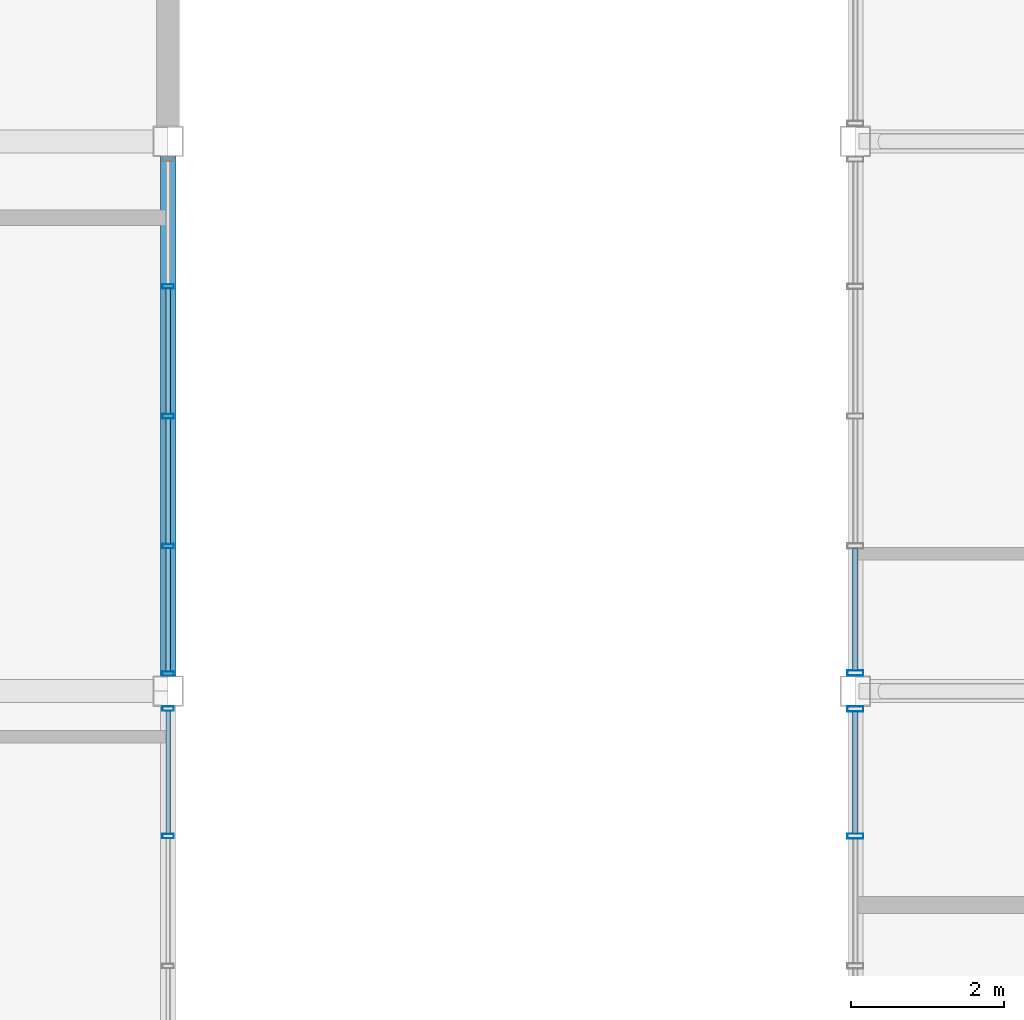
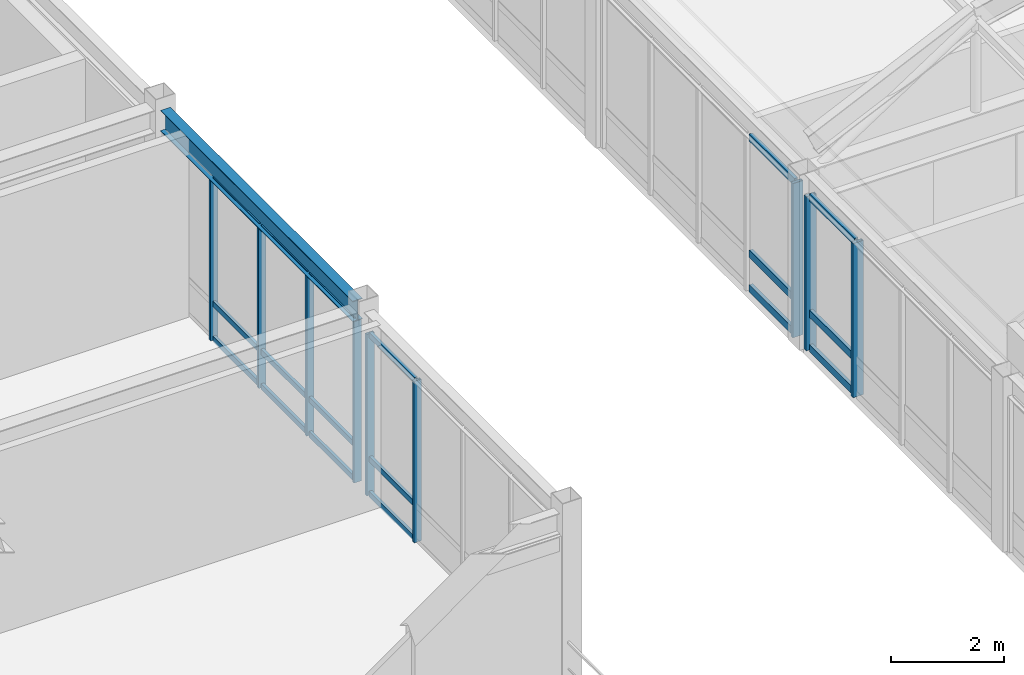
# One storey, part 23 of 106: 27 members, 1 beam, 4 elements without a shape of their own.
"""IFC4 building model written with IfcOpenShell, lengths in metres."""

from ifc_helpers import new_model, si_unit, direction, frame, origin, origin_2d, place, context, subcontext, project, spatial, hollow_rectangle, i_section, extrude, material, material_profile, profile_set, type_object, element, aggregate, save


model = new_model("IFC4")

# Units and contexts
model_context = context("Model", 3, precision=1e-05, world=origin(), true_north=direction((0.0, 1.0)))
body_context = subcontext(model_context, "Body", "Model", "MODEL_VIEW")
ifc_project = project(units=[si_unit("LENGTHUNIT", "METRE"), si_unit("AREAUNIT", "SQUARE_METRE"), si_unit("VOLUMEUNIT", "CUBIC_METRE"), si_unit("PLANEANGLEUNIT", "RADIAN"), si_unit("MASSUNIT", "GRAM", prefix="KILO")], contexts=[model_context])

# Site, building, storey
site_placement = place(None, origin())
site = spatial("IfcSite", under=ifc_project, at=site_placement, CompositionType="ELEMENT")
building_placement = place(site_placement, origin())
building = spatial("IfcBuilding", under=site, at=building_placement, Name="Kazanami Central Library", CompositionType="ELEMENT")
storey_placement = place(building_placement, frame((0.0, 0.0, 12.800048828125)))
storey = spatial("IfcBuildingStorey", under=building, at=storey_placement, Name="L04", CompositionType="ELEMENT", Elevation=12.800048828125)

# Beam
ifc_material_1 = material(Name="Steel SN490B (325 MPa)", Category="steel")
ifc_material_profile_1 = material_profile(ifc_material_1, i_section(OverallWidth=0.199951171875, OverallDepth=0.449951171875, WebThickness=0.009033203125, FlangeThickness=0.013916015625, at=origin_2d()), Name="H-450x200x9x14")
ifc_profile_set_1 = profile_set([ifc_material_profile_1], Name="Steel SN490B (325 MPa)")
beam_type = type_object("IfcBeamType", Name="BM-SP-2", PredefinedType="SPANDREL", material=ifc_profile_set_1)
beam_placement = place(storey_placement, frame((36.0, 72.197998046875, 3.71484375), z_axis=(0.0, 1.0, 0.0), x_axis=(-1.0, 0.0, 0.0)))
element("IfcBeam", 1, at=beam_placement, inside=storey, type_object=beam_type, Name="Girder SP-2 L04 5/L-M", PredefinedType="SPANDREL", context=body_context, shape_type="SweptSolid", body=[
    extrude(i_section(OverallWidth=0.199951171875, OverallDepth=0.449951171875, WebThickness=0.009033203125, FlangeThickness=0.013916015625, at=origin_2d()), origin(), (0.0, 0.0, 1.0), 6.803955078125),
])

# Curtain wall, members
ifc_material_2 = material(Name="Acid-Etched Low-E Laminated Glass", Category="glass")
curtain_wall_type_1 = type_object("IfcCurtainWallType", Name="CW-6800x3330-M180", PredefinedType="USERDEFINED", material=ifc_material_2)
curtain_wall_1_placement = place(storey_placement, origin())
curtain_wall_1 = element("IfcCurtainWall", 2, at=curtain_wall_1_placement, inside=storey, type_object=curtain_wall_type_1, Name="Covered Link Bridge Curtain Wall CW-44 L04 W-6-09", ObjectType="UNITISED CURTAIN WALL", PredefinedType="USERDEFINED")
ifc_material_3 = material(Name="Anodised Aluminium A6063-T5", Category="aluminium")
ifc_material_profile_2 = material_profile(ifc_material_3, hollow_rectangle(XDim=0.070068359375, YDim=0.2099609375, WallThickness=0.0048828125, at=origin_2d()), Name="ALU-MULL-70x210x5")
ifc_profile_set_2 = profile_set([ifc_material_profile_2], Name="Anodised Aluminium A6063-T5")
member_type_1 = type_object("IfcMemberType", Name="MEM-CW-M1", PredefinedType="MULLION", material=ifc_profile_set_2)
member_1_placement = place(storey_placement, frame((45.0, 70.10009765625, 0.0), z_axis=(0.0, 0.0, 1.0), x_axis=(0.0, 1.0, 0.0)))
member_1 = element("IfcMember", 3, at=member_1_placement, type_object=member_type_1, Name="CW-44 mullion 4", PredefinedType="MULLION", context=body_context, shape_type="SweptSolid", body=[
    extrude(hollow_rectangle(XDim=0.070068359375, YDim=0.2099609375, WallThickness=0.0048828125, at=origin_2d()), origin(), (0.0, 0.0, 1.0), 3.329833984375),
])
member_2_placement = place(storey_placement, frame((45.0, 71.764892578125, 0.0), z_axis=(0.0, 0.0, 1.0), x_axis=(0.0, 1.0, 0.0)))
member_2 = element("IfcMember", 4, at=member_2_placement, type_object=member_type_1, Name="CW-44 mullion 5", PredefinedType="MULLION", context=body_context, shape_type="SweptSolid", body=[
    extrude(hollow_rectangle(XDim=0.070068359375, YDim=0.2099609375, WallThickness=0.0048828125, at=origin_2d()), origin(), (0.0, 0.0, 1.0), 3.329833984375),
])

# Curtain wall, member
curtain_wall_2_placement = place(storey_placement, origin())
curtain_wall_2 = element("IfcCurtainWall", 5, at=curtain_wall_2_placement, inside=storey, type_object=curtain_wall_type_1, Name="Covered Link Bridge Curtain Wall CW-44 L04 W-6-10", ObjectType="UNITISED CURTAIN WALL", PredefinedType="USERDEFINED")
member_3_placement = place(storey_placement, frame((45.0, 72.235107421875, 0.0), z_axis=(0.0, 0.0, 1.0), x_axis=(0.0, 1.0, 0.0)))
member_3 = element("IfcMember", 6, at=member_3_placement, type_object=member_type_1, Name="CW-44 mullion 1", PredefinedType="MULLION", context=body_context, shape_type="SweptSolid", body=[
    extrude(hollow_rectangle(XDim=0.070068359375, YDim=0.2099609375, WallThickness=0.0048828125, at=origin_2d()), origin(), (0.0, 0.0, 1.0), 3.329833984375),
])

# Curtain wall, members
curtain_wall_type_2 = type_object("IfcCurtainWallType", Name="CW-6800x3490-M180", PredefinedType="USERDEFINED", material=ifc_material_2)
curtain_wall_3_placement = place(storey_placement, origin())
curtain_wall_3 = element("IfcCurtainWall", 7, at=curtain_wall_3_placement, inside=storey, type_object=curtain_wall_type_2, Name="Covered Link Bridge Curtain Wall CW-43 L04 E-5-09", ObjectType="UNITISED CURTAIN WALL", PredefinedType="USERDEFINED")
ifc_material_profile_3 = material_profile(ifc_material_3, hollow_rectangle(XDim=0.06005859375, YDim=0.14990234375, WallThickness=0.00390625, at=origin_2d()), Name="ALU-MULL-60x150x4")
ifc_profile_set_3 = profile_set([ifc_material_profile_3], Name="Anodised Aluminium A6063-T5")
member_type_2 = type_object("IfcMemberType", Name="MEM-CW-M3", PredefinedType="MULLION", material=ifc_profile_set_3)
member_4_placement = place(storey_placement, frame((36.0, 71.77001953125, 0.0), z_axis=(0.0, 0.0, 1.0), x_axis=(0.0, -1.0, 0.0)))
member_4 = element("IfcMember", 8, at=member_4_placement, type_object=member_type_2, Name="CW-43 mullion 1", PredefinedType="MULLION", context=body_context, shape_type="SweptSolid", body=[
    extrude(hollow_rectangle(XDim=0.06005859375, YDim=0.14990234375, WallThickness=0.00390625, at=origin_2d()), origin(), (0.0, 0.0, 1.0), 3.489990234375),
])
member_5_placement = place(storey_placement, frame((36.0, 70.10009765625, 0.0), z_axis=(0.0, 0.0, 1.0), x_axis=(0.0, -1.0, 0.0)))
member_5 = element("IfcMember", 9, at=member_5_placement, type_object=member_type_2, Name="CW-43 mullion 2", PredefinedType="MULLION", context=body_context, shape_type="SweptSolid", body=[
    extrude(hollow_rectangle(XDim=0.06005859375, YDim=0.14990234375, WallThickness=0.00390625, at=origin_2d()), origin(), (0.0, 0.0, 1.0), 3.489990234375),
])

curtain_wall_4_placement = place(storey_placement, origin())
curtain_wall_4 = element("IfcCurtainWall", 10, at=curtain_wall_4_placement, inside=storey, type_object=curtain_wall_type_2, Name="Covered Link Bridge Curtain Wall CW-43 L04 E-5-10", ObjectType="UNITISED CURTAIN WALL", PredefinedType="USERDEFINED")
member_6_placement = place(storey_placement, frame((36.0, 77.300048828125, 0.0), z_axis=(0.0, 0.0, 1.0), x_axis=(0.0, -1.0, 0.0)))
member_6 = element("IfcMember", 11, at=member_6_placement, type_object=member_type_2, Name="CW-43 mullion 2", PredefinedType="MULLION", context=body_context, shape_type="SweptSolid", body=[
    extrude(hollow_rectangle(XDim=0.06005859375, YDim=0.14990234375, WallThickness=0.00390625, at=origin_2d()), origin(), (0.0, 0.0, 1.0), 3.489990234375),
])
member_7_placement = place(storey_placement, frame((36.0, 75.60009765625, 0.0), z_axis=(0.0, 0.0, 1.0), x_axis=(0.0, -1.0, 0.0)))
member_7 = element("IfcMember", 12, at=member_7_placement, type_object=member_type_2, Name="CW-43 mullion 3", PredefinedType="MULLION", context=body_context, shape_type="SweptSolid", body=[
    extrude(hollow_rectangle(XDim=0.06005859375, YDim=0.14990234375, WallThickness=0.00390625, at=origin_2d()), origin(), (0.0, 0.0, 1.0), 3.489990234375),
])
member_8_placement = place(storey_placement, frame((36.0, 73.89990234375, 0.0), z_axis=(0.0, 0.0, 1.0), x_axis=(0.0, -1.0, 0.0)))
member_8 = element("IfcMember", 13, at=member_8_placement, type_object=member_type_2, Name="CW-43 mullion 4", PredefinedType="MULLION", context=body_context, shape_type="SweptSolid", body=[
    extrude(hollow_rectangle(XDim=0.06005859375, YDim=0.14990234375, WallThickness=0.00390625, at=origin_2d()), origin(), (0.0, 0.0, 1.0), 3.489990234375),
])
member_9_placement = place(storey_placement, frame((36.0, 72.22998046875, 0.0), z_axis=(0.0, 0.0, 1.0), x_axis=(0.0, -1.0, 0.0)))
member_9 = element("IfcMember", 14, at=member_9_placement, type_object=member_type_2, Name="CW-43 mullion 5", PredefinedType="MULLION", context=body_context, shape_type="SweptSolid", body=[
    extrude(hollow_rectangle(XDim=0.06005859375, YDim=0.14990234375, WallThickness=0.00390625, at=origin_2d()), origin(), (0.0, 0.0, 1.0), 3.489990234375),
])

# Member
ifc_material_profile_4 = material_profile(ifc_material_3, hollow_rectangle(XDim=0.070068359375, YDim=0.159912109375, WallThickness=0.00390625, at=origin_2d()), Name="ALU-TRAN-70x160x4")
ifc_profile_set_4 = profile_set([ifc_material_profile_4], Name="Anodised Aluminium A6063-T5")
member_type_3 = type_object("IfcMemberType", Name="MEM-CW-T1", PredefinedType="USERDEFINED", material=ifc_profile_set_4)
member_10_placement = place(storey_placement, frame((45.0, 70.135009765625, 0.034912109375), z_axis=(0.0, 1.0, 0.0), x_axis=(-1.0, 0.0, 0.0)))
member_10 = element("IfcMember", 15, at=member_10_placement, type_object=member_type_3, Name="CW-44 transom 4.1", ObjectType="TRANSOM", PredefinedType="USERDEFINED", context=body_context, shape_type="SweptSolid", body=[
    extrude(hollow_rectangle(XDim=0.070068359375, YDim=0.159912109375, WallThickness=0.00390625, at=origin_2d()), origin(), (0.0, 0.0, 1.0), 1.594970703125),
])

member_11_placement = place(storey_placement, frame((45.0, 70.135009765625, 0.780029296875), z_axis=(0.0, 1.0, 0.0), x_axis=(-1.0, 0.0, 0.0)))
member_11 = element("IfcMember", 16, at=member_11_placement, type_object=member_type_3, Name="CW-44 transom 4.2", ObjectType="TRANSOM", PredefinedType="USERDEFINED", context=body_context, shape_type="SweptSolid", body=[
    extrude(hollow_rectangle(XDim=0.070068359375, YDim=0.159912109375, WallThickness=0.00390625, at=origin_2d()), origin(), (0.0, 0.0, 1.0), 1.594970703125),
])

member_12_placement = place(storey_placement, frame((45.0, 70.135009765625, 3.294921875), z_axis=(0.0, 1.0, 0.0), x_axis=(-1.0, 0.0, 0.0)))
member_12 = element("IfcMember", 17, at=member_12_placement, type_object=member_type_3, Name="CW-44 transom 4.3", ObjectType="TRANSOM", PredefinedType="USERDEFINED", context=body_context, shape_type="SweptSolid", body=[
    extrude(hollow_rectangle(XDim=0.070068359375, YDim=0.159912109375, WallThickness=0.00390625, at=origin_2d()), origin(), (0.0, 0.0, 1.0), 1.594970703125),
])

aggregate(curtain_wall_1, [member_1, member_2, member_10, member_11, member_12])

member_13_placement = place(storey_placement, frame((45.0, 72.27001953125, 0.034912109375), z_axis=(0.0, 1.0, 0.0), x_axis=(-1.0, 0.0, 0.0)))
member_13 = element("IfcMember", 18, at=member_13_placement, type_object=member_type_3, Name="CW-44 transom 1.1", ObjectType="TRANSOM", PredefinedType="USERDEFINED", context=body_context, shape_type="SweptSolid", body=[
    extrude(hollow_rectangle(XDim=0.070068359375, YDim=0.159912109375, WallThickness=0.00390625, at=origin_2d()), origin(), (0.0, 0.0, 1.0), 1.594970703125),
])

member_14_placement = place(storey_placement, frame((45.0, 72.27001953125, 0.780029296875), z_axis=(0.0, 1.0, 0.0), x_axis=(-1.0, 0.0, 0.0)))
member_14 = element("IfcMember", 19, at=member_14_placement, type_object=member_type_3, Name="CW-44 transom 1.2", ObjectType="TRANSOM", PredefinedType="USERDEFINED", context=body_context, shape_type="SweptSolid", body=[
    extrude(hollow_rectangle(XDim=0.070068359375, YDim=0.159912109375, WallThickness=0.00390625, at=origin_2d()), origin(), (0.0, 0.0, 1.0), 1.594970703125),
])

member_15_placement = place(storey_placement, frame((45.0, 72.27001953125, 3.294921875), z_axis=(0.0, 1.0, 0.0), x_axis=(-1.0, 0.0, 0.0)))
member_15 = element("IfcMember", 20, at=member_15_placement, type_object=member_type_3, Name="CW-44 transom 1.3", ObjectType="TRANSOM", PredefinedType="USERDEFINED", context=body_context, shape_type="SweptSolid", body=[
    extrude(hollow_rectangle(XDim=0.070068359375, YDim=0.159912109375, WallThickness=0.00390625, at=origin_2d()), origin(), (0.0, 0.0, 1.0), 1.594970703125),
])

aggregate(curtain_wall_2, [member_3, member_13, member_14, member_15])

ifc_material_profile_5 = material_profile(ifc_material_3, hollow_rectangle(XDim=0.06005859375, YDim=0.1201171875, WallThickness=0.00341796875, at=origin_2d()), Name="ALU-TRAN-60x120x3.5")
ifc_profile_set_5 = profile_set([ifc_material_profile_5], Name="Anodised Aluminium A6063-T5")
member_type_4 = type_object("IfcMemberType", Name="MEM-CW-T3", PredefinedType="USERDEFINED", material=ifc_profile_set_5)
member_16_placement = place(storey_placement, frame((36.0, 71.739990234375, 0.030029296875), z_axis=(0.0, -1.0, 0.0), x_axis=(1.0, 0.0, 0.0)))
member_16 = element("IfcMember", 21, at=member_16_placement, type_object=member_type_4, Name="CW-43 transom 1.1", ObjectType="TRANSOM", PredefinedType="USERDEFINED", context=body_context, shape_type="SweptSolid", body=[
    extrude(hollow_rectangle(XDim=0.06005859375, YDim=0.1201171875, WallThickness=0.00341796875, at=origin_2d()), origin(), (0.0, 0.0, 1.0), 1.610107421875),
])

member_17_placement = place(storey_placement, frame((36.0, 71.739990234375, 0.780029296875), z_axis=(0.0, -1.0, 0.0), x_axis=(1.0, 0.0, 0.0)))
member_17 = element("IfcMember", 22, at=member_17_placement, type_object=member_type_4, Name="CW-43 transom 1.2", ObjectType="TRANSOM", PredefinedType="USERDEFINED", context=body_context, shape_type="SweptSolid", body=[
    extrude(hollow_rectangle(XDim=0.06005859375, YDim=0.1201171875, WallThickness=0.00341796875, at=origin_2d()), origin(), (0.0, 0.0, 1.0), 1.610107421875),
])

member_18_placement = place(storey_placement, frame((36.0, 71.739990234375, 3.4599609375), z_axis=(0.0, -1.0, 0.0), x_axis=(1.0, 0.0, 0.0)))
member_18 = element("IfcMember", 23, at=member_18_placement, type_object=member_type_4, Name="CW-43 transom 1.3", ObjectType="TRANSOM", PredefinedType="USERDEFINED", context=body_context, shape_type="SweptSolid", body=[
    extrude(hollow_rectangle(XDim=0.06005859375, YDim=0.1201171875, WallThickness=0.00341796875, at=origin_2d()), origin(), (0.0, 0.0, 1.0), 1.610107421875),
])

aggregate(curtain_wall_3, [member_4, member_5, member_16, member_17, member_18])

member_19_placement = place(storey_placement, frame((36.0, 77.27001953125, 0.030029296875), z_axis=(0.0, -1.0, 0.0), x_axis=(1.0, 0.0, 0.0)))
member_19 = element("IfcMember", 24, at=member_19_placement, type_object=member_type_4, Name="CW-43 transom 2.1", ObjectType="TRANSOM", PredefinedType="USERDEFINED", context=body_context, shape_type="SweptSolid", body=[
    extrude(hollow_rectangle(XDim=0.06005859375, YDim=0.1201171875, WallThickness=0.00341796875, at=origin_2d()), origin(), (0.0, 0.0, 1.0), 1.64013671875),
])

member_20_placement = place(storey_placement, frame((36.0, 77.27001953125, 0.780029296875), z_axis=(0.0, -1.0, 0.0), x_axis=(1.0, 0.0, 0.0)))
member_20 = element("IfcMember", 25, at=member_20_placement, type_object=member_type_4, Name="CW-43 transom 2.2", ObjectType="TRANSOM", PredefinedType="USERDEFINED", context=body_context, shape_type="SweptSolid", body=[
    extrude(hollow_rectangle(XDim=0.06005859375, YDim=0.1201171875, WallThickness=0.00341796875, at=origin_2d()), origin(), (0.0, 0.0, 1.0), 1.64013671875),
])

member_21_placement = place(storey_placement, frame((36.0, 77.27001953125, 3.4599609375), z_axis=(0.0, -1.0, 0.0), x_axis=(1.0, 0.0, 0.0)))
member_21 = element("IfcMember", 26, at=member_21_placement, type_object=member_type_4, Name="CW-43 transom 2.3", ObjectType="TRANSOM", PredefinedType="USERDEFINED", context=body_context, shape_type="SweptSolid", body=[
    extrude(hollow_rectangle(XDim=0.06005859375, YDim=0.1201171875, WallThickness=0.00341796875, at=origin_2d()), origin(), (0.0, 0.0, 1.0), 1.64013671875),
])

member_22_placement = place(storey_placement, frame((36.0, 75.570068359375, 0.030029296875), z_axis=(0.0, -1.0, 0.0), x_axis=(1.0, 0.0, 0.0)))
member_22 = element("IfcMember", 27, at=member_22_placement, type_object=member_type_4, Name="CW-43 transom 3.1", ObjectType="TRANSOM", PredefinedType="USERDEFINED", context=body_context, shape_type="SweptSolid", body=[
    extrude(hollow_rectangle(XDim=0.06005859375, YDim=0.1201171875, WallThickness=0.00341796875, at=origin_2d()), origin(), (0.0, 0.0, 1.0), 1.64013671875),
])

member_23_placement = place(storey_placement, frame((36.0, 75.570068359375, 0.780029296875), z_axis=(0.0, -1.0, 0.0), x_axis=(1.0, 0.0, 0.0)))
member_23 = element("IfcMember", 28, at=member_23_placement, type_object=member_type_4, Name="CW-43 transom 3.2", ObjectType="TRANSOM", PredefinedType="USERDEFINED", context=body_context, shape_type="SweptSolid", body=[
    extrude(hollow_rectangle(XDim=0.06005859375, YDim=0.1201171875, WallThickness=0.00341796875, at=origin_2d()), origin(), (0.0, 0.0, 1.0), 1.64013671875),
])

member_24_placement = place(storey_placement, frame((36.0, 75.570068359375, 3.4599609375), z_axis=(0.0, -1.0, 0.0), x_axis=(1.0, 0.0, 0.0)))
member_24 = element("IfcMember", 29, at=member_24_placement, type_object=member_type_4, Name="CW-43 transom 3.3", ObjectType="TRANSOM", PredefinedType="USERDEFINED", context=body_context, shape_type="SweptSolid", body=[
    extrude(hollow_rectangle(XDim=0.06005859375, YDim=0.1201171875, WallThickness=0.00341796875, at=origin_2d()), origin(), (0.0, 0.0, 1.0), 1.64013671875),
])

member_25_placement = place(storey_placement, frame((36.0, 73.8701171875, 0.030029296875), z_axis=(0.0, -1.0, 0.0), x_axis=(1.0, 0.0, 0.0)))
member_25 = element("IfcMember", 30, at=member_25_placement, type_object=member_type_4, Name="CW-43 transom 4.1", ObjectType="TRANSOM", PredefinedType="USERDEFINED", context=body_context, shape_type="SweptSolid", body=[
    extrude(hollow_rectangle(XDim=0.06005859375, YDim=0.1201171875, WallThickness=0.00341796875, at=origin_2d()), origin(), (0.0, 0.0, 1.0), 1.610107421875),
])

member_26_placement = place(storey_placement, frame((36.0, 73.8701171875, 0.780029296875), z_axis=(0.0, -1.0, 0.0), x_axis=(1.0, 0.0, 0.0)))
member_26 = element("IfcMember", 31, at=member_26_placement, type_object=member_type_4, Name="CW-43 transom 4.2", ObjectType="TRANSOM", PredefinedType="USERDEFINED", context=body_context, shape_type="SweptSolid", body=[
    extrude(hollow_rectangle(XDim=0.06005859375, YDim=0.1201171875, WallThickness=0.00341796875, at=origin_2d()), origin(), (0.0, 0.0, 1.0), 1.610107421875),
])

member_27_placement = place(storey_placement, frame((36.0, 73.8701171875, 3.4599609375), z_axis=(0.0, -1.0, 0.0), x_axis=(1.0, 0.0, 0.0)))
member_27 = element("IfcMember", 32, at=member_27_placement, type_object=member_type_4, Name="CW-43 transom 4.3", ObjectType="TRANSOM", PredefinedType="USERDEFINED", context=body_context, shape_type="SweptSolid", body=[
    extrude(hollow_rectangle(XDim=0.06005859375, YDim=0.1201171875, WallThickness=0.00341796875, at=origin_2d()), origin(), (0.0, 0.0, 1.0), 1.610107421875),
])

aggregate(curtain_wall_4, [member_6, member_7, member_8, member_9, member_19, member_20, member_21, member_22, member_23, member_24, member_25, member_26, member_27])

save(model, "model.ifc")
